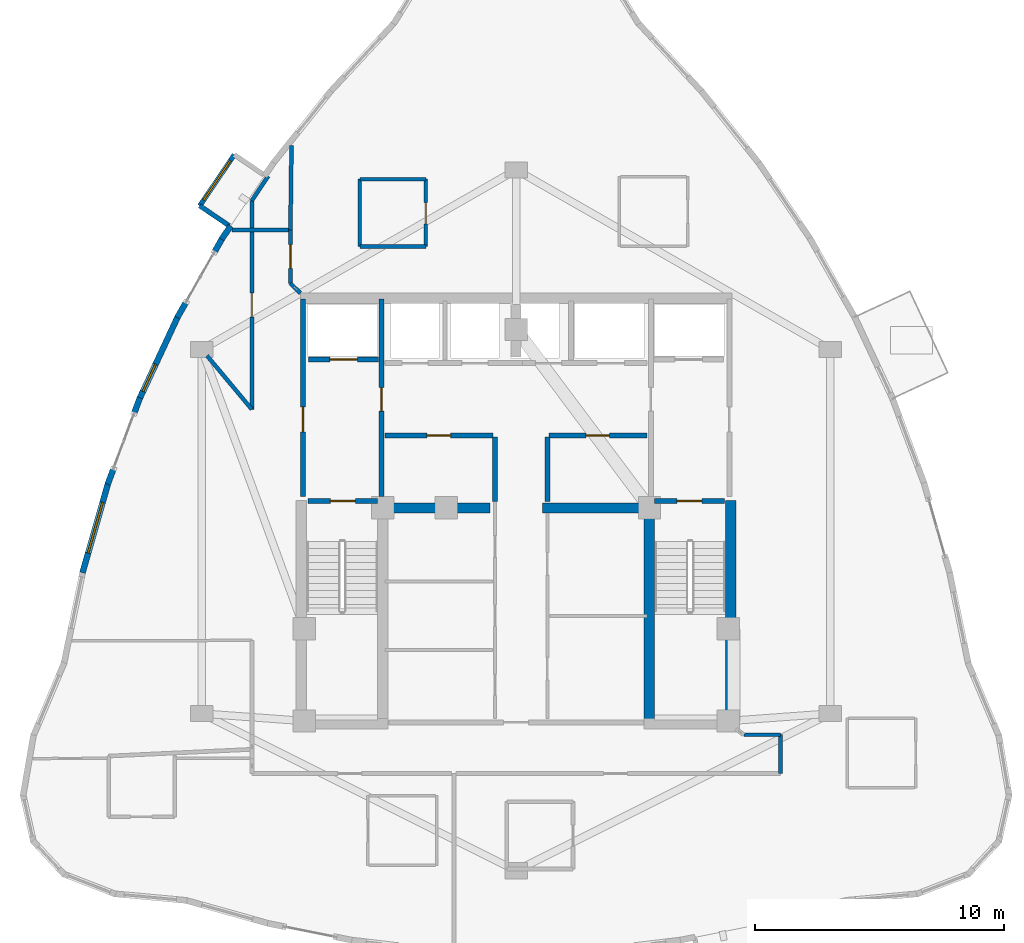
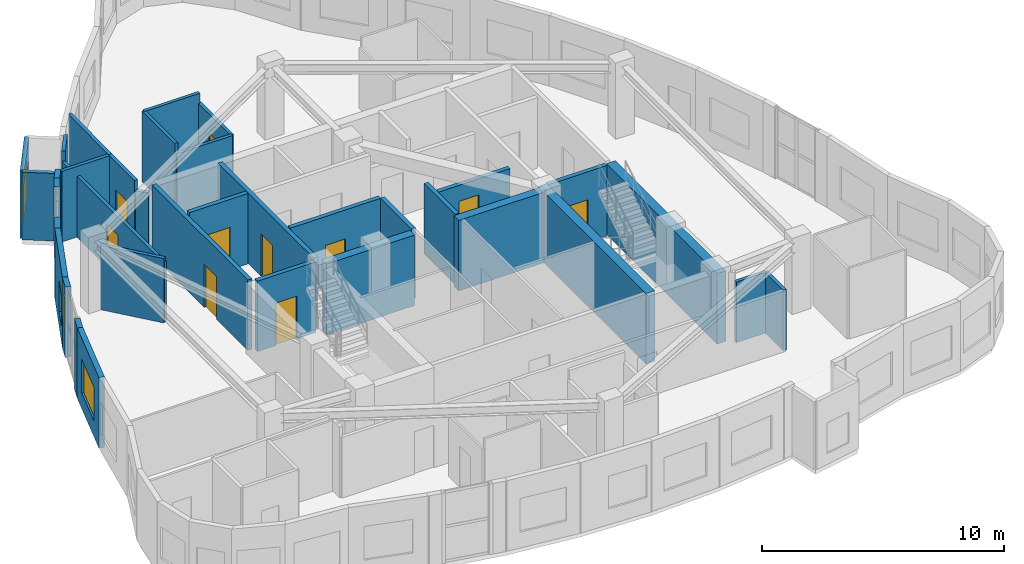
# One storey, part 13 of 16: 35 walls, 10 doors, 3 windows, 13 openings.
"""IFC4 building model written with IfcOpenShell, lengths in metres."""

from ifc_helpers import new_model, si_unit, direction, frame, frame_2d, origin, place, context, subcontext, project, spatial, rectangle, extrude, material, layer, layer_set, type_object, element, fill, save


model = new_model("IFC4")

# Units and contexts
model_context = context("Model", 3, precision=1e-05, world=origin(), true_north=direction((0.0, 1.0)))
body_context = subcontext(model_context, "Body", "Model", "MODEL_VIEW")
ifc_project = project(units=[si_unit("LENGTHUNIT", "METRE"), si_unit("AREAUNIT", "SQUARE_METRE"), si_unit("VOLUMEUNIT", "CUBIC_METRE"), si_unit("PLANEANGLEUNIT", "RADIAN"), si_unit("MASSUNIT", "GRAM", prefix="KILO")], contexts=[model_context])

# Site, building, storey
site_placement = place(None, origin())
site = spatial("IfcSite", under=ifc_project, at=site_placement, CompositionType="ELEMENT")
building_placement = place(site_placement, origin())
building = spatial("IfcBuilding", under=site, at=building_placement, Name="Miruveldt Soraemaru", CompositionType="ELEMENT")
storey_placement = place(building_placement, frame((0.0, 0.0, 271.25)))
storey = spatial("IfcBuildingStorey", under=building, at=storey_placement, Name="L74", CompositionType="ELEMENT", Elevation=271.25)

# Wall
ifc_material_1 = material(Name="White powder-coated aluminium EN AW-6060 T6", Category="aluminium")
ifc_layer_1 = layer(ifc_material_1, 0.18994140625, Name="White powder-coated aluminium EN AW-6060 T6", Category="aluminium")
ifc_layer_set_1 = layer_set([ifc_layer_1], Name="White powder-coated aluminium EN AW-6060 T6")
wall_type_1 = type_object("IfcWallType", Name="WALL-BAY-ALU190", PredefinedType="SOLIDWALL", material=ifc_layer_set_1)
wall_1_placement = place(storey_placement, frame((31.311767578125, 56.162353515625, 0.0), z_axis=(0.0, 0.0, 1.0), x_axis=(0.827862228344, -0.560931485016, 0.0)))
element("IfcWall", 1, at=wall_1_placement, inside=storey, type_object=wall_type_1, Name="L74 Bay Window Side Cheek 1R", PredefinedType="SOLIDWALL", context=body_context, shape_type="SweptSolid", body=[
    extrude(rectangle(XDim=1.425048828125, YDim=0.18994140625, at=frame_2d((0.71240234375, 0.0))), origin(), (0.0, 0.0, 1.0), 3.4150390625),
])

# Wall, opening, window
wall_2_placement = place(storey_placement, frame((32.69873046875, 58.2099609375, 0.0), z_axis=(0.0, 0.0, 1.0), x_axis=(-0.560813220418, -0.827942348116, 0.0)))
wall_2 = element("IfcWall", 2, at=wall_2_placement, inside=storey, type_object=wall_type_1, Name="L74 Bay Window Front Frame 1", PredefinedType="SOLIDWALL", context=body_context, shape_type="SweptSolid", body=[
    extrude(rectangle(XDim=2.47314453125, YDim=0.18994140625, at=frame_2d((1.236572265625, 0.0))), origin(), (0.0, 0.0, 1.0), 3.4150390625),
])
opening_1_placement = place(wall_2_placement, frame((0.287109375, 0.0, 0.550048828125)))
opening_1 = element("IfcOpeningElement", 3, at=opening_1_placement, cuts=wall_2, Name="Opening WN-6", PredefinedType="OPENING", context=body_context, shape_type="SweptSolid", body=[
    extrude(rectangle(XDim=1.89990234375, YDim=1.85009765625, at=frame_2d((0.949951171875, 0.925048828125))), frame((0.0, 0.10498046875, 0.0), z_axis=(0.0, -1.0, 0.0), x_axis=(1.0, 0.0, 0.0)), (0.0, 0.0, 1.0), 0.2099609375),
])
ifc_material_2 = material(Name="Triple low-e insulated glazing", Category="glass")
window_type_1 = type_object("IfcWindowType", Name="WIN-BAYW-1900x1850", PartitioningType="SINGLE_PANEL", PredefinedType="WINDOW", material=ifc_material_2)
window_1_placement = place(opening_1_placement, origin())
window_1 = element("IfcWindow", 4, at=window_1_placement, inside=storey, type_object=window_type_1, Name="L74 Projecting Bay Window 1", OverallHeight=1.85009765625, OverallWidth=1.89990234375, PartitioningType="SINGLE_PANEL", PredefinedType="WINDOW", context=body_context, shape_type="SweptSolid", body=[
    extrude(rectangle(XDim=1.89990234375, YDim=1.85009765625, at=frame_2d((0.949951171875, 0.925048828125))), frame((0.0, 0.030029296875, 0.0), z_axis=(0.0, -1.0, 0.0), x_axis=(1.0, 0.0, 0.0)), (0.0, 0.0, 1.0), 0.06005859375),
])
fill(opening_1, window_1)

# Walls
ifc_material_3 = material(Name="Concrete C70/85 (70 MPa)", Category="concrete")
ifc_layer_2 = layer(ifc_material_3, 0.5, Name="Concrete C70/85 (70 MPa)", Category="concrete")
ifc_layer_set_2 = layer_set([ifc_layer_2], Name="Concrete C70/85 (70 MPa)")
wall_type_2 = type_object("IfcWallType", Name="WALL-BW-500", PredefinedType="SHEAR", material=ifc_layer_set_2)
for number, where, z_axis, x_axis, name in (
    (5, (38.75, 44.050048828125, 0.0), (0.0, 0.0, 1.0), (1.0, 0.0, 0.0), "L74 Core Buttress Shear Wall BW"),
    (6, (45.050048828125, 44.050048828125, 0.0), (0.0, 0.0, 1.0), (1.0, 0.0, 0.0), "L74 Core Buttress Shear Wall BE"),
):
    element("IfcWall", number, at=place(storey_placement, frame(where, z_axis=z_axis, x_axis=x_axis)), inside=storey, type_object=wall_type_2, Name=name, PredefinedType="SHEAR", context=body_context, shape_type="SweptSolid", body=[
        extrude(rectangle(XDim=4.199951171875, YDim=0.39990234375, at=frame_2d((2.10009765625, 0.0))), origin(), (0.0, 0.0, 1.0), 3.56494140625),
    ])
ifc_material_4 = material(Name="Concrete C50/60 (50 MPa)", Category="concrete")
ifc_layer_3 = layer(ifc_material_4, 0.419921875, Name="Concrete C50/60 (50 MPa)", Category="concrete")
ifc_layer_set_3 = layer_set([ifc_layer_3], Name="Concrete C50/60 (50 MPa)")
wall_type_3 = type_object("IfcWallType", Name="WALL-CW-420", PredefinedType="SHEAR", material=ifc_layer_set_3)
wall_3_placement = place(storey_placement, frame((52.610107421875, 35.179931640625, 0.0), z_axis=(0.0, 0.0, 1.0), x_axis=(0.0, 1.0, 0.0)))
element("IfcWall", 7, at=wall_3_placement, inside=storey, type_object=wall_type_3, Name="L74 Central Core Shear Wall E1", PredefinedType="SHEAR", context=body_context, shape_type="SweptSolid", body=[
    extrude(rectangle(XDim=9.170166015625, YDim=0.419921875, at=frame_2d((4.5849609375, 0.0))), origin(), (0.0, 0.0, 1.0), 3.56494140625),
])
wall_4_placement = place(storey_placement, frame((49.340087890625, 35.39990234375, 0.0), z_axis=(0.0, 0.0, 1.0), x_axis=(0.0, 1.0, 0.0)))
element("IfcWall", 8, at=wall_4_placement, inside=storey, type_object=wall_type_3, Name="L74 Central Core Shear Wall SE-INT", PredefinedType="SHEAR", context=body_context, shape_type="SweptSolid", body=[
    extrude(rectangle(XDim=8.9501953125, YDim=0.419921875, at=frame_2d((4.47509765625, 0.0))), origin(), (0.0, 0.0, 1.0), 3.56494140625),
])
ifc_material_5 = material(Name="Precast concrete C45/55 (45 MPa)", Category="concrete")
ifc_layer_4 = layer(ifc_material_5, 0.239990234375, Name="Precast concrete C45/55 (45 MPa)", Category="concrete")
ifc_layer_set_4 = layer_set([ifc_layer_4], Name="Precast concrete C45/55 (45 MPa)")
wall_type_4 = type_object("IfcWallType", Name="WALL-EXT-PC240", PredefinedType="SOLIDWALL", material=ifc_layer_set_4)
wall_5_placement = place(storey_placement, frame((32.5537109375, 55.357177734375, 0.0), z_axis=(0.0, 0.0, 1.0), x_axis=(-0.560781389169, -0.827963908369, 0.0)))
element("IfcWall", 9, at=wall_5_placement, inside=storey, type_object=wall_type_4, Name="L74 Precast Pier Wall 9B", PredefinedType="SOLIDWALL", context=body_context, shape_type="SweptSolid", body=[
    extrude(rectangle(XDim=0.64697265625, YDim=0.239990234375, at=frame_2d((0.323486328125, 0.0))), origin(), (0.0, 0.0, 1.0), 3.56494140625),
])
wall_6_placement = place(storey_placement, frame((32.227783203125, 54.880859375, 0.0), z_axis=(0.0, 0.0, 1.0), x_axis=(-0.493152373132, -0.869942950356, 0.0)))
element("IfcWall", 10, at=wall_6_placement, inside=storey, type_object=wall_type_4, Name="L74 Precast Pier Left 10", PredefinedType="SOLIDWALL", context=body_context, shape_type="SweptSolid", body=[
    extrude(rectangle(XDim=0.705078125, YDim=0.239990234375, at=frame_2d((0.3525390625, 0.0))), origin(), (0.0, 0.0, 1.0), 3.56494140625),
])
wall_7_placement = place(storey_placement, frame((30.779296875, 52.3271484375, 0.0), z_axis=(0.0, 0.0, 1.0), x_axis=(-0.493218457188, -0.869905485377, 0.0)))
element("IfcWall", 11, at=wall_7_placement, inside=storey, type_object=wall_type_4, Name="L74 Precast Pier Right 10", PredefinedType="SOLIDWALL", context=body_context, shape_type="SweptSolid", body=[
    extrude(rectangle(XDim=0.748046875, YDim=0.239990234375, at=frame_2d((0.3740234375, 0.0))), origin(), (0.0, 0.0, 1.0), 3.56494140625),
])

# Wall, opening, window
wall_8_placement = place(storey_placement, frame((30.4423828125, 51.738525390625, 0.0), z_axis=(0.0, 0.0, 1.0), x_axis=(-0.422308491158, -0.906452170992, 0.0)))
wall_8 = element("IfcWall", 12, at=wall_8_placement, inside=storey, type_object=wall_type_4, Name="L74 Precast Concrete Facade Wall 11", PredefinedType="SOLIDWALL", context=body_context, shape_type="SweptSolid", body=[
    extrude(rectangle(XDim=3.68359375, YDim=0.239990234375, at=frame_2d((1.841796875, 0.0))), origin(), (0.0, 0.0, 1.0), 3.56494140625),
])
opening_2_placement = place(wall_8_placement, frame((2.131103515625, 0.0, 0.780029296875)))
opening_2 = element("IfcOpeningElement", 13, at=opening_2_placement, cuts=wall_8, Name="Opening WN-4", PredefinedType="OPENING", context=body_context, shape_type="SweptSolid", body=[
    extrude(rectangle(XDim=1.199951171875, YDim=1.550048828125, at=frame_2d((0.60009765625, 0.77490234375))), frame((0.0, 0.1298828125, 0.0), z_axis=(0.0, -1.0, 0.0), x_axis=(1.0, 0.0, 0.0)), (0.0, 0.0, 1.0), 0.260009765625),
])
window_type_2 = type_object("IfcWindowType", Name="WIN-PUNCH-1200x1550", PartitioningType="SINGLE_PANEL", PredefinedType="WINDOW", material=ifc_material_2)
window_2_placement = place(opening_2_placement, origin())
window_2 = element("IfcWindow", 14, at=window_2_placement, inside=storey, type_object=window_type_2, Name="L74 Punched Triple-Glazed Window 11.1", OverallHeight=1.550048828125, OverallWidth=1.199951171875, PartitioningType="SINGLE_PANEL", PredefinedType="WINDOW", context=body_context, shape_type="SweptSolid", body=[
    extrude(rectangle(XDim=1.199951171875, YDim=1.550048828125, at=frame_2d((0.60009765625, 0.77490234375))), frame((0.0, 0.030029296875, 0.0), z_axis=(0.0, -1.0, 0.0), x_axis=(1.0, 0.0, 0.0)), (0.0, 0.0, 1.0), 0.06005859375),
])
fill(opening_2, window_2)

# Walls
wall_9_placement = place(storey_placement, frame((28.913818359375, 48.4638671875, 0.0), z_axis=(0.0, 0.0, 1.0), x_axis=(-0.349263978932, -0.937024371626, 0.0)))
element("IfcWall", 15, at=wall_9_placement, inside=storey, type_object=wall_type_4, Name="L74 Precast Pier Left 12", PredefinedType="SOLIDWALL", context=body_context, shape_type="SweptSolid", body=[
    extrude(rectangle(XDim=0.705322265625, YDim=0.239990234375, at=frame_2d((0.3525390625, 0.0))), origin(), (0.0, 0.0, 1.0), 3.56494140625),
])
wall_10_placement = place(storey_placement, frame((27.865966796875, 45.650634765625, 0.0), z_axis=(0.0, 0.0, 1.0), x_axis=(-0.349073246867, -0.937095442483, 0.0)))
element("IfcWall", 16, at=wall_10_placement, inside=storey, type_object=wall_type_4, Name="L74 Precast Pier Right 12", PredefinedType="SOLIDWALL", context=body_context, shape_type="SweptSolid", body=[
    extrude(rectangle(XDim=0.705078125, YDim=0.239990234375, at=frame_2d((0.3525390625, 0.0))), origin(), (0.0, 0.0, 1.0), 3.56494140625),
])

# Wall, opening, window
wall_11_placement = place(storey_placement, frame((27.6416015625, 45.056396484375, 0.0), z_axis=(0.0, 0.0, 1.0), x_axis=(-0.274944534859, -0.961460089006, 0.0)))
wall_11 = element("IfcWall", 17, at=wall_11_placement, inside=storey, type_object=wall_type_4, Name="L74 Precast Concrete Facade Wall 13", PredefinedType="SOLIDWALL", context=body_context, shape_type="SweptSolid", body=[
    extrude(rectangle(XDim=3.75244140625, YDim=0.239990234375, at=frame_2d((1.876220703125, 0.0))), origin(), (0.0, 0.0, 1.0), 3.56494140625),
])
opening_3_placement = place(wall_11_placement, frame((0.826904296875, 0.0, 0.800048828125)))
opening_3 = element("IfcOpeningElement", 18, at=opening_3_placement, cuts=wall_11, Name="Opening WN-1", PredefinedType="OPENING", context=body_context, shape_type="SweptSolid", body=[
    extrude(rectangle(XDim=2.10009765625, YDim=1.699951171875, at=frame_2d((1.050048828125, 0.85009765625))), frame((0.0, 0.1298828125, 0.0), z_axis=(0.0, -1.0, 0.0), x_axis=(1.0, 0.0, 0.0)), (0.0, 0.0, 1.0), 0.260009765625),
])
window_type_3 = type_object("IfcWindowType", Name="WIN-PUNCH-2100x1700", PartitioningType="SINGLE_PANEL", PredefinedType="WINDOW", material=ifc_material_2)
window_3_placement = place(opening_3_placement, origin())
window_3 = element("IfcWindow", 19, at=window_3_placement, inside=storey, type_object=window_type_3, Name="L74 Punched Triple-Glazed Window 13.1", OverallHeight=1.699951171875, OverallWidth=2.10009765625, PartitioningType="SINGLE_PANEL", PredefinedType="WINDOW", context=body_context, shape_type="SweptSolid", body=[
    extrude(rectangle(XDim=2.10009765625, YDim=1.699951171875, at=frame_2d((1.050048828125, 0.85009765625))), frame((0.0, 0.030029296875, 0.0), z_axis=(0.0, -1.0, 0.0), x_axis=(1.0, 0.0, 0.0)), (0.0, 0.0, 1.0), 0.06005859375),
])
fill(opening_3, window_3)

# Wall, opening, door
ifc_material_6 = material(Name="Gypsum plasterboard lining", Category="gypsum")
ifc_layer_5 = layer(ifc_material_6, 0.14990234375, Name="Gypsum plasterboard lining", Category="gypsum")
ifc_layer_set_5 = layer_set([ifc_layer_5], Name="Gypsum plasterboard lining")
wall_type_5 = type_object("IfcWallType", Name="WALL-INT-PLUMB", PredefinedType="PLUMBINGWALL", material=ifc_layer_set_5)
wall_12_placement = place(storey_placement, frame((40.3798828125, 54.530029296875, 0.0), z_axis=(0.0, 0.0, 1.0), x_axis=(0.0, 1.0, 0.0)))
wall_12 = element("IfcWall", 20, at=wall_12_placement, inside=storey, type_object=wall_type_5, Name="L74 Partition Wall 12", PredefinedType="PLUMBINGWALL", context=body_context, shape_type="SweptSolid", body=[
    extrude(rectangle(XDim=2.699951171875, YDim=0.14990234375, at=frame_2d((1.35009765625, 0.0))), origin(), (0.0, 0.0, 1.0), 3.06494140625),
])
opening_4_placement = place(wall_12_placement, frame((0.909912109375, 0.0, 0.0)))
opening_4 = element("IfcOpeningElement", 21, at=opening_4_placement, cuts=wall_12, Name="Opening FD3", PredefinedType="OPENING", context=body_context, shape_type="SweptSolid", body=[
    extrude(rectangle(XDim=0.85009765625, YDim=2.10009765625, at=frame_2d((0.425048828125, 1.050048828125))), frame((0.0, 0.0849609375, 0.0), z_axis=(0.0, -1.0, 0.0), x_axis=(1.0, 0.0, 0.0)), (0.0, 0.0, 1.0), 0.169921875),
])
ifc_material_7 = material(Name="Anodised aluminium EN AW-6063 T6", Category="aluminium")
door_type_1 = type_object("IfcDoorType", Name="DOOR-FD3-850", OperationType="NOTDEFINED", PredefinedType="DOOR", material=ifc_material_7)
door_1_placement = place(opening_4_placement, origin())
door_1 = element("IfcDoor", 22, at=door_1_placement, inside=storey, type_object=door_type_1, Name="L74 Unit CL02 BTH Door", OperationType="SINGLE_SWING_RIGHT", OverallHeight=2.10009765625, OverallWidth=0.85009765625, PredefinedType="DOOR", context=body_context, shape_type="SweptSolid", body=[
    extrude(rectangle(XDim=0.85009765625, YDim=2.10009765625, at=frame_2d((0.425048828125, 1.050048828125))), frame((0.0, 0.02490234375, 0.0), z_axis=(0.0, -1.0, 0.0), x_axis=(1.0, 0.0, 0.0)), (0.0, 0.0, 1.0), 0.050048828125),
])
fill(opening_4, door_1)

# Walls
wall_13_placement = place(storey_placement, frame((37.72998046875, 57.22998046875, 0.0), z_axis=(0.0, 0.0, 1.0), x_axis=(0.0, -1.0, 0.0)))
element("IfcWall", 23, at=wall_13_placement, inside=storey, type_object=wall_type_5, Name="L74 Partition Wall 14", PredefinedType="PLUMBINGWALL", context=body_context, shape_type="SweptSolid", body=[
    extrude(rectangle(XDim=2.699951171875, YDim=0.14990234375, at=frame_2d((1.35009765625, 0.0))), origin(), (0.0, 0.0, 1.0), 3.56494140625),
])
wall_14_placement = place(storey_placement, frame((40.3798828125, 57.22998046875, 0.0), z_axis=(0.0, 0.0, 1.0), x_axis=(-1.0, 0.0, 0.0)))
element("IfcWall", 24, at=wall_14_placement, inside=storey, type_object=wall_type_5, Name="L74 Partition Wall 13", PredefinedType="PLUMBINGWALL", context=body_context, shape_type="SweptSolid", body=[
    extrude(rectangle(XDim=2.64990234375, YDim=0.14990234375, at=frame_2d((1.324951171875, 0.0))), origin(), (0.0, 0.0, 1.0), 3.56494140625),
])
wall_15_placement = place(storey_placement, frame((37.72998046875, 54.530029296875, 0.0), z_axis=(0.0, 0.0, 1.0), x_axis=(1.0, 0.0, 0.0)))
element("IfcWall", 25, at=wall_15_placement, inside=storey, type_object=wall_type_5, Name="L74 Partition Wall 15", PredefinedType="PLUMBINGWALL", context=body_context, shape_type="SweptSolid", body=[
    extrude(rectangle(XDim=2.64990234375, YDim=0.14990234375, at=frame_2d((1.324951171875, 0.0))), origin(), (0.0, 0.0, 1.0), 3.06494140625),
])

# Wall, opening, door
ifc_material_8 = material(Name="Concrete C40/50 (40 MPa)", Category="concrete")
ifc_layer_6 = layer(ifc_material_8, 0.159912109375, Name="Concrete C40/50 (40 MPa)", Category="concrete")
ifc_layer_set_6 = layer_set([ifc_layer_6], Name="Concrete C40/50 (40 MPa)")
wall_type_6 = type_object("IfcWallType", Name="WALL-INT-RC160", PredefinedType="SOLIDWALL", material=ifc_layer_set_6)
wall_16_placement = place(storey_placement, frame((33.39990234375, 56.365966796875, 0.0), z_axis=(0.0, 0.0, 1.0), x_axis=(0.0, -1.0, 0.0)))
wall_16 = element("IfcWall", 26, at=wall_16_placement, inside=storey, type_object=wall_type_6, Name="L74 Partition Wall 2", PredefinedType="SOLIDWALL", context=body_context, shape_type="SweptSolid", body=[
    extrude(rectangle(XDim=8.365966796875, YDim=0.159912109375, at=frame_2d((4.18310546875, 0.0))), origin(), (0.0, 0.0, 1.0), 3.06494140625),
])
opening_5_placement = place(wall_16_placement, frame((3.7080078125, 0.0, 0.0)))
opening_5 = element("IfcOpeningElement", 27, at=opening_5_placement, cuts=wall_16, Name="Opening FD2", PredefinedType="OPENING", context=body_context, shape_type="SweptSolid", body=[
    extrude(rectangle(XDim=0.949951171875, YDim=2.14990234375, at=frame_2d((0.47509765625, 1.074951171875))), frame((0.0, 0.08984375, 0.0), z_axis=(0.0, -1.0, 0.0), x_axis=(1.0, 0.0, 0.0)), (0.0, 0.0, 1.0), 0.179931640625),
])
door_type_2 = type_object("IfcDoorType", Name="DOOR-FD2-950", OperationType="NOTDEFINED", PredefinedType="DOOR", material=ifc_material_7)
door_2_placement = place(opening_5_placement, origin())
door_2 = element("IfcDoor", 28, at=door_2_placement, inside=storey, type_object=door_type_2, Name="L74 Unit CL01 Entrance Fire Door", OperationType="SINGLE_SWING_RIGHT", OverallHeight=2.14990234375, OverallWidth=0.949951171875, PredefinedType="DOOR", context=body_context, shape_type="SweptSolid", body=[
    extrude(rectangle(XDim=0.949951171875, YDim=2.14990234375, at=frame_2d((0.47509765625, 1.074951171875))), frame((0.0, 0.02490234375, 0.0), z_axis=(0.0, -1.0, 0.0), x_axis=(1.0, 0.0, 0.0)), (0.0, 0.0, 1.0), 0.050048828125),
])
fill(opening_5, door_2)

wall_17_placement = place(storey_placement, frame((34.949951171875, 53.050048828125, 0.0), z_axis=(0.0, 0.0, 1.0), x_axis=(0.0, 1.0, 0.0)))
wall_17 = element("IfcWall", 29, at=wall_17_placement, inside=storey, type_object=wall_type_6, Name="L74 Partition Wall 3", PredefinedType="SOLIDWALL", context=body_context, shape_type="SweptSolid", body=[
    extrude(rectangle(XDim=2.14990234375, YDim=0.159912109375, at=frame_2d((1.074951171875, 0.0))), origin(), (0.0, 0.0, 1.0), 3.56494140625),
])
opening_6_placement = place(wall_17_placement, frame((0.60009765625, 0.0, 0.0)))
opening_6 = element("IfcOpeningElement", 30, at=opening_6_placement, cuts=wall_17, Name="Opening FD2", PredefinedType="OPENING", context=body_context, shape_type="SweptSolid", body=[
    extrude(rectangle(XDim=0.949951171875, YDim=2.14990234375, at=frame_2d((0.47509765625, 1.074951171875))), frame((0.0, 0.08984375, 0.0), z_axis=(0.0, -1.0, 0.0), x_axis=(1.0, 0.0, 0.0)), (0.0, 0.0, 1.0), 0.179931640625),
])
door_3_placement = place(opening_6_placement, origin())
door_3 = element("IfcDoor", 31, at=door_3_placement, inside=storey, type_object=door_type_2, Name="L74 Unit CL02 Entrance Fire Door", OperationType="SINGLE_SWING_LEFT", OverallHeight=2.14990234375, OverallWidth=0.949951171875, PredefinedType="DOOR", context=body_context, shape_type="SweptSolid", body=[
    extrude(rectangle(XDim=0.949951171875, YDim=2.14990234375, at=frame_2d((0.47509765625, 1.074951171875))), frame((0.0, 0.02490234375, 0.0), z_axis=(0.0, -1.0, 0.0), x_axis=(1.0, 0.0, 0.0)), (0.0, 0.0, 1.0), 0.050048828125),
])
fill(opening_6, door_3)

# Walls
wall_18_placement = place(storey_placement, frame((34.949951171875, 55.199951171875, 0.0), z_axis=(0.0, 0.0, 1.0), x_axis=(0.012726767863, 0.99991901141, 0.0)))
element("IfcWall", 32, at=wall_18_placement, inside=storey, type_object=wall_type_6, Name="L74 Partition Wall 11", PredefinedType="SOLIDWALL", context=body_context, shape_type="SweptSolid", body=[
    extrude(rectangle(XDim=3.376220703125, YDim=0.159912109375, at=frame_2d((1.68798828125, 0.0))), origin(), (0.0, 0.0, 1.0), 3.56494140625),
])
wall_19_placement = place(storey_placement, frame((33.39990234375, 48.0, 0.0), z_axis=(0.0, 0.0, 1.0), x_axis=(-0.640844787885, 0.767670474775, 0.0)))
element("IfcWall", 33, at=wall_19_placement, inside=storey, type_object=wall_type_6, Name="L74 Partition Closure Return 2", PredefinedType="SOLIDWALL", context=body_context, shape_type="SweptSolid", body=[
    extrude(rectangle(XDim=2.799072265625, YDim=0.159912109375, at=frame_2d((1.3994140625, 0.0))), origin(), (0.0, 0.0, 1.0), 3.2529296875),
])
wall_20_placement = place(storey_placement, frame((34.8701171875, 55.199951171875, 0.0), z_axis=(0.0, 0.0, 1.0), x_axis=(-1.0, 0.0, 0.0)))
element("IfcWall", 34, at=wall_20_placement, inside=storey, type_object=wall_type_6, Name="L74 Partition Wall 1", PredefinedType="SOLIDWALL", context=body_context, shape_type="SweptSolid", body=[
    extrude(rectangle(XDim=2.260009765625, YDim=0.159912109375, at=frame_2d((1.1298828125, 0.0))), origin(), (0.0, 0.0, 1.0), 3.56494140625),
])
wall_21_placement = place(storey_placement, frame((54.60009765625, 33.39990234375, 0.0), z_axis=(0.0, 0.0, 1.0), x_axis=(0.0, 1.0, 0.0)))
element("IfcWall", 35, at=wall_21_placement, inside=storey, type_object=wall_type_6, Name="L74 Partition Wall 9", PredefinedType="SOLIDWALL", context=body_context, shape_type="SweptSolid", body=[
    extrude(rectangle(XDim=1.550048828125, YDim=0.159912109375, at=frame_2d((0.77490234375, 0.0))), origin(), (0.0, 0.0, 1.0), 3.06494140625),
])
wall_22_placement = place(storey_placement, frame((54.60009765625, 34.949951171875, 0.0), z_axis=(0.0, 0.0, 1.0), x_axis=(-1.0, 0.0, 0.0)))
element("IfcWall", 36, at=wall_22_placement, inside=storey, type_object=wall_type_6, Name="L74 Partition Wall 10", PredefinedType="SOLIDWALL", context=body_context, shape_type="SweptSolid", body=[
    extrude(rectangle(XDim=1.467041015625, YDim=0.159912109375, at=frame_2d((0.7333984375, 0.0))), origin(), (0.0, 0.0, 1.0), 3.06494140625),
])
wall_23_placement = place(storey_placement, frame((33.39990234375, 56.365966796875, 0.0), z_axis=(0.0, 0.0, 1.0), x_axis=(0.556222816596, 0.831033199276, 0.0)))
element("IfcWall", 37, at=wall_23_placement, inside=storey, type_object=wall_type_6, Name="L74 Partition Closure Return 1", PredefinedType="SOLIDWALL", context=body_context, shape_type="SweptSolid", body=[
    extrude(rectangle(XDim=1.183349609375, YDim=0.159912109375, at=frame_2d((0.591796875, 0.0))), origin(), (0.0, 0.0, 1.0), 3.56494140625),
])
wall_24_placement = place(storey_placement, frame((34.949951171875, 53.050048828125, 0.0), z_axis=(0.0, 0.0, 1.0), x_axis=(0.716005598538, -0.698094537196, 0.0)))
element("IfcWall", 38, at=wall_24_placement, inside=storey, type_object=wall_type_6, Name="L74 Partition Closure Return 3", PredefinedType="SOLIDWALL", context=body_context, shape_type="SweptSolid", body=[
    extrude(rectangle(XDim=0.558837890625, YDim=0.159912109375, at=frame_2d((0.279296875, 0.0))), origin(), (0.0, 0.0, 1.0), 3.06494140625),
])

# Wall, opening, door
ifc_layer_7 = layer(ifc_material_8, 0.199951171875, Name="Concrete C40/50 (40 MPa)", Category="concrete")
ifc_layer_set_7 = layer_set([ifc_layer_7], Name="Concrete C40/50 (40 MPa)")
wall_type_7 = type_object("IfcWallType", Name="WALL-INT-RC200", PredefinedType="SOLIDWALL", material=ifc_layer_set_7)
wall_25_placement = place(storey_placement, frame((35.449951171875, 44.5, 0.0), z_axis=(0.0, 0.0, 1.0), x_axis=(0.0, 1.0, 0.0)))
wall_25 = element("IfcWall", 39, at=wall_25_placement, inside=storey, type_object=wall_type_7, Name="L74 Core Compartment Wall FFW-OUT", PredefinedType="SOLIDWALL", context=body_context, shape_type="SweptSolid", body=[
    extrude(rectangle(XDim=7.919921875, YDim=0.199951171875, at=frame_2d((3.9599609375, 0.0))), origin(), (0.0, 0.0, 1.0), 3.56494140625),
])
opening_7_placement = place(wall_25_placement, frame((2.60009765625, 0.0, 0.0)))
opening_7 = element("IfcOpeningElement", 40, at=opening_7_placement, cuts=wall_25, Name="Opening FD1", PredefinedType="OPENING", context=body_context, shape_type="SweptSolid", body=[
    extrude(rectangle(XDim=1.0, YDim=2.14990234375, at=frame_2d((0.5, 1.074951171875))), frame((0.0, 0.10986328125, 0.0), z_axis=(0.0, -1.0, 0.0), x_axis=(1.0, 0.0, 0.0)), (0.0, 0.0, 1.0), 0.219970703125),
])
door_type_3 = type_object("IfcDoorType", Name="DOOR-FD1-1000", OperationType="NOTDEFINED", PredefinedType="DOOR", material=ifc_material_7)
door_4_placement = place(opening_7_placement, origin())
door_4 = element("IfcDoor", 41, at=door_4_placement, inside=storey, type_object=door_type_3, Name="L74 West Firefighting Lobby Exit Door", OperationType="SINGLE_SWING_LEFT", OverallHeight=2.14990234375, OverallWidth=1.0, PredefinedType="DOOR", context=body_context, shape_type="SweptSolid", body=[
    extrude(rectangle(XDim=1.0, YDim=2.14990234375, at=frame_2d((0.5, 1.074951171875))), frame((0.0, 0.02490234375, 0.0), z_axis=(0.0, -1.0, 0.0), x_axis=(1.0, 0.0, 0.0)), (0.0, 0.0, 1.0), 0.050048828125),
])
fill(opening_7, door_4)

wall_26_placement = place(storey_placement, frame((38.60009765625, 44.5, 0.0), z_axis=(0.0, 0.0, 1.0), x_axis=(0.0, 1.0, 0.0)))
wall_26 = element("IfcWall", 42, at=wall_26_placement, inside=storey, type_object=wall_type_7, Name="L74 Core Compartment Wall FFW-IN", PredefinedType="SOLIDWALL", context=body_context, shape_type="SweptSolid", body=[
    extrude(rectangle(XDim=7.919921875, YDim=0.199951171875, at=frame_2d((3.9599609375, 0.0))), origin(), (0.0, 0.0, 1.0), 3.56494140625),
])
opening_8_placement = place(wall_26_placement, frame((3.425048828125, 0.0, 0.0)))
opening_8 = element("IfcOpeningElement", 43, at=opening_8_placement, cuts=wall_26, Name="Opening FD2", PredefinedType="OPENING", context=body_context, shape_type="SweptSolid", body=[
    extrude(rectangle(XDim=0.949951171875, YDim=2.14990234375, at=frame_2d((0.47509765625, 1.074951171875))), frame((0.0, 0.10986328125, 0.0), z_axis=(0.0, -1.0, 0.0), x_axis=(1.0, 0.0, 0.0)), (0.0, 0.0, 1.0), 0.219970703125),
])
door_5_placement = place(opening_8_placement, frame((0.949951171875, 0.0, 0.0), z_axis=(0.0, 0.0, 1.0), x_axis=(-1.0, 0.0, 0.0)))
door_5 = element("IfcDoor", 44, at=door_5_placement, inside=storey, type_object=door_type_2, Name="L74 Lift Lobby to West Fire Lobby Door", OperationType="SINGLE_SWING_RIGHT", OverallHeight=2.14990234375, OverallWidth=0.949951171875, PredefinedType="DOOR", context=body_context, shape_type="SweptSolid", body=[
    extrude(rectangle(XDim=0.949951171875, YDim=2.14990234375, at=frame_2d((0.47509765625, 1.074951171875))), frame((0.0, 0.02490234375, 0.0), z_axis=(0.0, -1.0, 0.0), x_axis=(1.0, 0.0, 0.0)), (0.0, 0.0, 1.0), 0.050048828125),
])
fill(opening_8, door_5)

wall_27_placement = place(storey_placement, frame((38.75, 46.949951171875, 0.0), z_axis=(0.0, 0.0, 1.0), x_axis=(1.0, 0.0, 0.0)))
wall_27 = element("IfcWall", 45, at=wall_27_placement, inside=storey, type_object=wall_type_7, Name="L74 Core Compartment Wall MBW-N", PredefinedType="SOLIDWALL", context=body_context, shape_type="SweptSolid", body=[
    extrude(rectangle(XDim=4.330078125, YDim=0.199951171875, at=frame_2d((2.1650390625, 0.0))), origin(), (0.0, 0.0, 1.0), 3.56494140625),
])
opening_9_placement = place(wall_27_placement, frame((1.675048828125, 0.0, 0.0)))
opening_9 = element("IfcOpeningElement", 46, at=opening_9_placement, cuts=wall_27, Name="Opening D2", PredefinedType="OPENING", context=body_context, shape_type="SweptSolid", body=[
    extrude(rectangle(XDim=0.949951171875, YDim=2.10009765625, at=frame_2d((0.47509765625, 1.050048828125))), frame((0.0, 0.10986328125, 0.0), z_axis=(0.0, -1.0, 0.0), x_axis=(1.0, 0.0, 0.0)), (0.0, 0.0, 1.0), 0.219970703125),
])
door_type_4 = type_object("IfcDoorType", Name="DOOR-INT-950", OperationType="NOTDEFINED", PredefinedType="DOOR", material=ifc_material_7)
door_6_placement = place(opening_9_placement, origin())
door_6 = element("IfcDoor", 47, at=door_6_placement, inside=storey, type_object=door_type_4, Name="L74 Fire Door", OperationType="SINGLE_SWING_LEFT", OverallHeight=2.10009765625, OverallWidth=0.949951171875, PredefinedType="DOOR", context=body_context, shape_type="SweptSolid", body=[
    extrude(rectangle(XDim=0.949951171875, YDim=2.10009765625, at=frame_2d((0.47509765625, 1.050048828125))), frame((0.0, 0.02490234375, 0.0), z_axis=(0.0, -1.0, 0.0), x_axis=(1.0, 0.0, 0.0)), (0.0, 0.0, 1.0), 0.050048828125),
])
fill(opening_9, door_6)

wall_28_placement = place(storey_placement, frame((45.320068359375, 46.949951171875, 0.0), z_axis=(0.0, 0.0, 1.0), x_axis=(1.0, 0.0, 0.0)))
wall_28 = element("IfcWall", 48, at=wall_28_placement, inside=storey, type_object=wall_type_7, Name="L74 Core Compartment Wall MBE-N", PredefinedType="SOLIDWALL", context=body_context, shape_type="SweptSolid", body=[
    extrude(rectangle(XDim=3.929931640625, YDim=0.199951171875, at=frame_2d((1.96484375, 0.0))), origin(), (0.0, 0.0, 1.0), 2.903076171875),
])
opening_10_placement = place(wall_28_placement, frame((1.47509765625, 0.0, 0.0)))
opening_10 = element("IfcOpeningElement", 49, at=opening_10_placement, cuts=wall_28, Name="Opening D2", PredefinedType="OPENING", context=body_context, shape_type="SweptSolid", body=[
    extrude(rectangle(XDim=0.949951171875, YDim=2.10009765625, at=frame_2d((0.47509765625, 1.050048828125))), frame((0.0, 0.10986328125, 0.0), z_axis=(0.0, -1.0, 0.0), x_axis=(1.0, 0.0, 0.0)), (0.0, 0.0, 1.0), 0.219970703125),
])
door_7_placement = place(opening_10_placement, origin())
door_7 = element("IfcDoor", 50, at=door_7_placement, inside=storey, type_object=door_type_4, Name="L74 Fire Door", OperationType="SINGLE_SWING_LEFT", OverallHeight=2.10009765625, OverallWidth=0.949951171875, PredefinedType="DOOR", context=body_context, shape_type="SweptSolid", body=[
    extrude(rectangle(XDim=0.949951171875, YDim=2.10009765625, at=frame_2d((0.47509765625, 1.050048828125))), frame((0.0, 0.02490234375, 0.0), z_axis=(0.0, -1.0, 0.0), x_axis=(1.0, 0.0, 0.0)), (0.0, 0.0, 1.0), 0.050048828125),
])
fill(opening_10, door_7)

wall_29_placement = place(storey_placement, frame((35.64990234375, 44.320068359375, 0.0), z_axis=(0.0, 0.0, 1.0), x_axis=(1.0, 0.0, 0.0)))
wall_29 = element("IfcWall", 51, at=wall_29_placement, inside=storey, type_object=wall_type_7, Name="L74 Core Compartment Wall ST1-N", PredefinedType="SOLIDWALL", context=body_context, shape_type="SweptSolid", body=[
    extrude(rectangle(XDim=2.800048828125, YDim=0.199951171875, at=frame_2d((1.39990234375, 0.0))), origin(), (0.0, 0.0, 1.0), 3.56494140625),
])
opening_11_placement = place(wall_29_placement, frame((0.89990234375, 0.0, 0.0)))
opening_11 = element("IfcOpeningElement", 52, at=opening_11_placement, cuts=wall_29, Name="Opening FD1", PredefinedType="OPENING", context=body_context, shape_type="SweptSolid", body=[
    extrude(rectangle(XDim=1.0, YDim=2.14990234375, at=frame_2d((0.5, 1.074951171875))), frame((0.0, 0.10986328125, 0.0), z_axis=(0.0, -1.0, 0.0), x_axis=(1.0, 0.0, 0.0)), (0.0, 0.0, 1.0), 0.219970703125),
])
door_8_placement = place(opening_11_placement, frame((1.0, 0.0, 0.0), z_axis=(0.0, 0.0, 1.0), x_axis=(-1.0, 0.0, 0.0)))
door_8 = element("IfcDoor", 53, at=door_8_placement, inside=storey, type_object=door_type_3, Name="L74 Stair ST-1 Fire Door", OperationType="SINGLE_SWING_LEFT", OverallHeight=2.14990234375, OverallWidth=1.0, PredefinedType="DOOR", context=body_context, shape_type="SweptSolid", body=[
    extrude(rectangle(XDim=1.0, YDim=2.14990234375, at=frame_2d((0.5, 1.074951171875))), frame((0.0, 0.02490234375, 0.0), z_axis=(0.0, -1.0, 0.0), x_axis=(1.0, 0.0, 0.0)), (0.0, 0.0, 1.0), 0.050048828125),
])
fill(opening_11, door_8)

wall_30_placement = place(storey_placement, frame((49.550048828125, 44.320068359375, 0.0), z_axis=(0.0, 0.0, 1.0), x_axis=(1.0, 0.0, 0.0)))
wall_30 = element("IfcWall", 54, at=wall_30_placement, inside=storey, type_object=wall_type_7, Name="L74 Core Compartment Wall ST2-N", PredefinedType="SOLIDWALL", context=body_context, shape_type="SweptSolid", body=[
    extrude(rectangle(XDim=2.800048828125, YDim=0.199951171875, at=frame_2d((1.39990234375, 0.0))), origin(), (0.0, 0.0, 1.0), 3.56494140625),
])
opening_12_placement = place(wall_30_placement, frame((0.89990234375, 0.0, 0.0)))
opening_12 = element("IfcOpeningElement", 55, at=opening_12_placement, cuts=wall_30, Name="Opening FD1", PredefinedType="OPENING", context=body_context, shape_type="SweptSolid", body=[
    extrude(rectangle(XDim=1.0, YDim=2.14990234375, at=frame_2d((0.5, 1.074951171875))), frame((0.0, 0.10986328125, 0.0), z_axis=(0.0, -1.0, 0.0), x_axis=(1.0, 0.0, 0.0)), (0.0, 0.0, 1.0), 0.219970703125),
])
door_9_placement = place(opening_12_placement, frame((1.0, 0.0, 0.0), z_axis=(0.0, 0.0, 1.0), x_axis=(-1.0, 0.0, 0.0)))
door_9 = element("IfcDoor", 56, at=door_9_placement, inside=storey, type_object=door_type_3, Name="L74 Stair ST-2 Fire Door", OperationType="SINGLE_SWING_RIGHT", OverallHeight=2.14990234375, OverallWidth=1.0, PredefinedType="DOOR", context=body_context, shape_type="SweptSolid", body=[
    extrude(rectangle(XDim=1.0, YDim=2.14990234375, at=frame_2d((0.5, 1.074951171875))), frame((0.0, 0.02490234375, 0.0), z_axis=(0.0, -1.0, 0.0), x_axis=(1.0, 0.0, 0.0)), (0.0, 0.0, 1.0), 0.050048828125),
])
fill(opening_12, door_9)

wall_31_placement = place(storey_placement, frame((35.679931640625, 50.0, 0.0), z_axis=(0.0, 0.0, 1.0), x_axis=(1.0, 0.0, 0.0)))
wall_31 = element("IfcWall", 57, at=wall_31_placement, inside=storey, type_object=wall_type_7, Name="L74 Core Compartment Wall FFL1-S", PredefinedType="SOLIDWALL", context=body_context, shape_type="SweptSolid", body=[
    extrude(rectangle(XDim=2.800048828125, YDim=0.199951171875, at=frame_2d((1.39990234375, 0.0))), origin(), (0.0, 0.0, 1.0), 3.56494140625),
])
opening_13_placement = place(wall_31_placement, frame((0.85009765625, 0.0, 0.0)))
opening_13 = element("IfcOpeningElement", 58, at=opening_13_placement, cuts=wall_31, Name="Opening LD2", PredefinedType="OPENING", context=body_context, shape_type="SweptSolid", body=[
    extrude(rectangle(XDim=1.10009765625, YDim=2.14990234375, at=frame_2d((0.550048828125, 1.074951171875))), frame((0.0, 0.10986328125, 0.0), z_axis=(0.0, -1.0, 0.0), x_axis=(1.0, 0.0, 0.0)), (0.0, 0.0, 1.0), 0.219970703125),
])
door_type_5 = type_object("IfcDoorType", Name="DOOR-LD2-1100", OperationType="SLIDING_TO_LEFT", PredefinedType="DOOR", material=ifc_material_7)
door_10_placement = place(opening_13_placement, origin())
door_10 = element("IfcDoor", 59, at=door_10_placement, inside=storey, type_object=door_type_5, Name="L74 FFL-1 Landing Door", OperationType="SLIDING_TO_LEFT", OverallHeight=2.14990234375, OverallWidth=1.10009765625, PredefinedType="DOOR", context=body_context, shape_type="SweptSolid", body=[
    extrude(rectangle(XDim=1.10009765625, YDim=2.14990234375, at=frame_2d((0.550048828125, 1.074951171875))), frame((0.0, 0.02490234375, 0.0), z_axis=(0.0, -1.0, 0.0), x_axis=(1.0, 0.0, 0.0)), (0.0, 0.0, 1.0), 0.050048828125),
])
fill(opening_13, door_10)

# Walls
for number, where, z_axis, x_axis, name in (
    (60, (43.14990234375, 44.300048828125, 0.0), (0.0, 0.0, 1.0), (0.0, 1.0, 0.0), "L74 Core Compartment Wall SP-WB"),
    (61, (45.25, 44.300048828125, 0.0), (0.0, 0.0, 1.0), (0.0, 1.0, 0.0), "L74 Core Compartment Wall SP-EB"),
):
    element("IfcWall", number, at=place(storey_placement, frame(where, z_axis=z_axis, x_axis=x_axis)), inside=storey, type_object=wall_type_7, Name=name, PredefinedType="SOLIDWALL", context=body_context, shape_type="SweptSolid", body=[
        extrude(rectangle(XDim=2.579833984375, YDim=0.199951171875, at=frame_2d((1.2900390625, 0.0))), origin(), (0.0, 0.0, 1.0), 3.56494140625),
    ])

save(model, "model.ifc")
